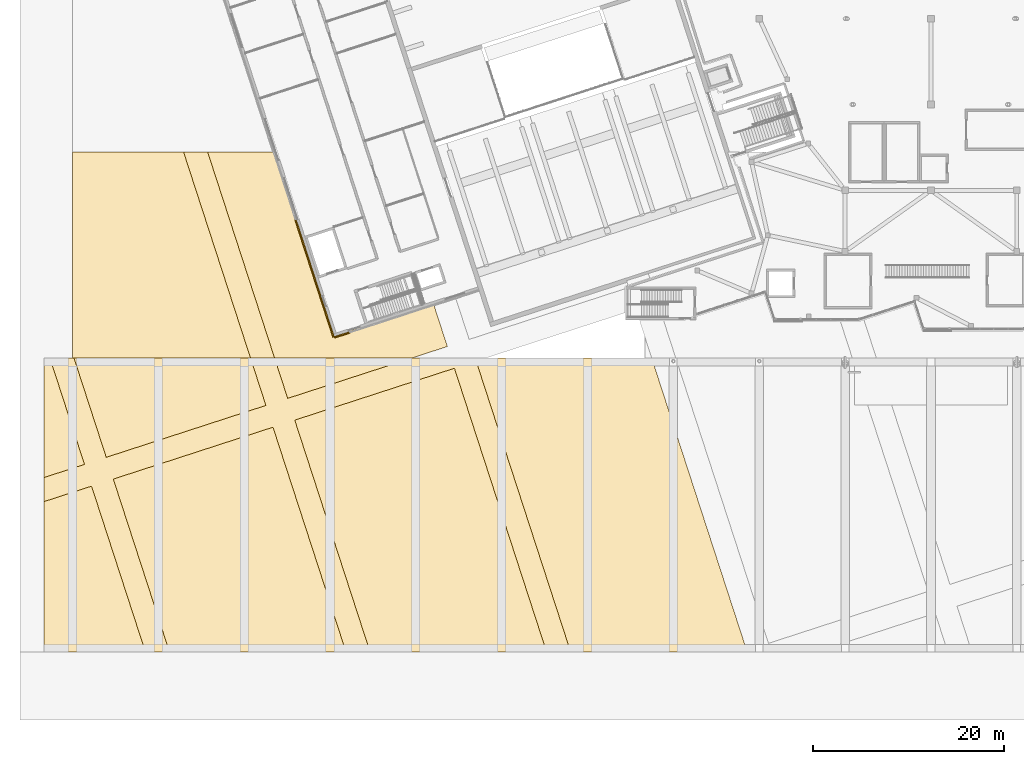
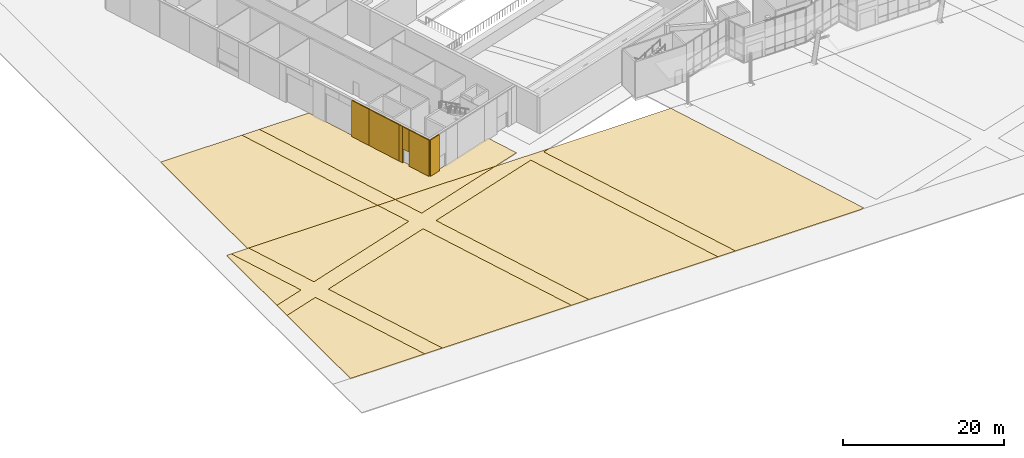
# One storey, part 61 of 72: 17 coverings.
"""IFC4 building model written with IfcOpenShell, lengths in metres."""

from ifc_helpers import new_model, si_unit, direction, frame, origin, place, context, subcontext, project, spatial, polyline, outline, extrude, material, layer, layer_set, type_object, element, save


model = new_model("IFC4")

# Units and contexts
model_context = context("Model", 3, precision=1e-05, world=origin(), true_north=direction((0.0, 1.0)))
body_context = subcontext(model_context, "Body", "Model", "MODEL_VIEW")
ifc_project = project(units=[si_unit("LENGTHUNIT", "METRE"), si_unit("AREAUNIT", "SQUARE_METRE"), si_unit("VOLUMEUNIT", "CUBIC_METRE"), si_unit("PLANEANGLEUNIT", "RADIAN"), si_unit("MASSUNIT", "GRAM", prefix="KILO")], contexts=[model_context])

# Site, building, storey
site_placement = place(None, origin())
site = spatial("IfcSite", under=ifc_project, at=site_placement, CompositionType="ELEMENT")
building_placement = place(site_placement, origin())
building = spatial("IfcBuilding", under=site, at=building_placement, Name="Tuart Plaza Theatre", CompositionType="ELEMENT")
storey_placement = place(building_placement, origin())
storey = spatial("IfcBuildingStorey", under=building, at=storey_placement, Name="L00", CompositionType="ELEMENT", Elevation=0.0)

# Coverings
ifc_material_1 = material(Name="Concrete paving, power-floated cast in place", Category="concrete")
ifc_layer_1 = layer(ifc_material_1, 0.14990234375)
ifc_layer_set_1 = layer_set([ifc_layer_1], Name="COVERING-CAST-CONCRETE-PAVING150")
covering_type_1 = type_object("IfcCoveringType", Name="COVERING-CAST-CONCRETE-PAVING150", PredefinedType="FLOORING", material=ifc_layer_set_1)
covering_1_placement = place(storey_placement, frame((0.0, 0.0, -0.14990234375)))
element("IfcCovering", 1, at=covering_1_placement, inside=storey, type_object=covering_type_1, Name="D-COV-DECK-CB-1-2", PredefinedType="FLOORING", context=body_context, shape_type="SweptSolid", body=[
    extrude(outline(polyline([(13.651123046875, 7.60009765625), (16.1748046875, 7.60009765625), (10.28369140625, 25.730712890625), (27.022216796875, 31.16943359375), (34.680419921875, 7.60009765625), (37.203857421875, 7.60009765625), (29.3046875, 31.910888671875), (46.04345703125, 37.349609375), (55.709716796875, 7.60009765625), (58.233154296875, 7.60009765625), (48.325927734375, 38.09130859375), (49.27587890625, 38.39990234375), (41.50927734375, 38.39990234375), (28.56298828125, 34.193603515625), (27.1962890625, 38.39990234375), (24.6728515625, 38.39990234375), (26.280517578125, 33.451904296875), (9.5419921875, 28.01318359375), (6.1669921875, 38.39990234375), (3.6435546875, 38.39990234375), (7.259521484375, 27.271484375), (3.0, 25.8876953125), (3.0, 23.364013671875), (8.001220703125, 24.989013671875), (13.651123046875, 7.60009765625)])), origin(), (0.0, 0.0, 1.0), 0.14990234375),
])
covering_2_placement = place(storey_placement, frame((0.0, 0.0, -0.14990234375)))
element("IfcCovering", 2, at=covering_2_placement, inside=storey, type_object=covering_type_1, Name="D-COV-FORECOURT-CB-1-7", PredefinedType="FLOORING", context=body_context, shape_type="SweptSolid", body=[
    extrude(outline(polyline([(24.6728515625, 38.39990234375), (27.1962890625, 38.39990234375), (20.177978515625, 60.0), (17.654541015625, 60.0), (24.6728515625, 38.39990234375)])), origin(), (0.0, 0.0, 1.0), 0.14990234375),
])
ifc_material_2 = material(Name="Granite paving, honed", Category="masonry")
ifc_layer_2 = layer(ifc_material_2, 0.14990234375)
ifc_layer_set_2 = layer_set([ifc_layer_2], Name="COVERING-GRANITE-PAVING150")
covering_type_2 = type_object("IfcCoveringType", Name="COVERING-GRANITE-PAVING150", PredefinedType="FLOORING", material=ifc_layer_set_2)
covering_3_placement = place(storey_placement, frame((0.0, 0.0, -0.14990234375)))
element("IfcCovering", 3, at=covering_3_placement, inside=storey, type_object=covering_type_2, Name="D-COV-DECK-GR-1-4", PredefinedType="FLOORING", context=body_context, shape_type="SweptSolid", body=[
    extrude(outline(polyline([(13.651123046875, 7.60009765625), (8.001220703125, 24.989013671875), (3.0, 23.364013671875), (3.0, 7.60009765625), (13.651123046875, 7.60009765625)])), origin(), (0.0, 0.0, 1.0), 0.14990234375),
])
covering_4_placement = place(storey_placement, frame((0.0, 0.0, -0.14990234375)))
element("IfcCovering", 4, at=covering_4_placement, inside=storey, type_object=covering_type_2, Name="D-COV-DECK-GR-1-5", PredefinedType="FLOORING", context=body_context, shape_type="SweptSolid", body=[
    extrude(outline(polyline([(34.680419921875, 7.60009765625), (27.022216796875, 31.16943359375), (10.28369140625, 25.730712890625), (16.1748046875, 7.60009765625), (34.680419921875, 7.60009765625)])), origin(), (0.0, 0.0, 1.0), 0.14990234375),
])
covering_5_placement = place(storey_placement, frame((0.0, 0.0, -0.14990234375)))
element("IfcCovering", 5, at=covering_5_placement, inside=storey, type_object=covering_type_2, Name="D-COV-DECK-GR-1-7", PredefinedType="FLOORING", context=body_context, shape_type="SweptSolid", body=[
    extrude(outline(polyline([(55.709716796875, 7.60009765625), (46.04345703125, 37.349609375), (29.3046875, 31.910888671875), (37.203857421875, 7.60009765625), (55.709716796875, 7.60009765625)])), origin(), (0.0, 0.0, 1.0), 0.14990234375),
])
covering_6_placement = place(storey_placement, frame((0.0, 0.0, -0.14990234375)))
element("IfcCovering", 6, at=covering_6_placement, inside=storey, type_object=covering_type_2, Name="D-COV-DECK-GR-1-8", PredefinedType="FLOORING", context=body_context, shape_type="SweptSolid", body=[
    extrude(outline(polyline([(76.1591796875, 7.60009765625), (76.68359375, 7.770263671875), (66.7314453125, 38.39990234375), (49.27587890625, 38.39990234375), (48.325927734375, 38.09130859375), (58.233154296875, 7.60009765625), (76.1591796875, 7.60009765625)])), origin(), (0.0, 0.0, 1.0), 0.14990234375),
])
covering_7_placement = place(storey_placement, frame((0.0, 0.0, -0.14990234375)))
element("IfcCovering", 7, at=covering_7_placement, inside=storey, type_object=covering_type_2, Name="D-COV-DECK-GR-1-12", PredefinedType="FLOORING", context=body_context, shape_type="SweptSolid", body=[
    extrude(outline(polyline([(3.0, 25.8876953125), (7.259521484375, 27.271484375), (3.6435546875, 38.39990234375), (3.0, 38.39990234375), (3.0, 25.8876953125)])), origin(), (0.0, 0.0, 1.0), 0.14990234375),
])
covering_8_placement = place(storey_placement, frame((0.0, 0.0, -0.14990234375)))
element("IfcCovering", 8, at=covering_8_placement, inside=storey, type_object=covering_type_2, Name="D-COV-DECK-GR-1-14", PredefinedType="FLOORING", context=body_context, shape_type="SweptSolid", body=[
    extrude(outline(polyline([(6.1669921875, 38.39990234375), (9.5419921875, 28.01318359375), (26.280517578125, 33.451904296875), (24.6728515625, 38.39990234375), (6.1669921875, 38.39990234375)])), origin(), (0.0, 0.0, 1.0), 0.14990234375),
])
covering_9_placement = place(storey_placement, frame((0.0, 0.0, -0.14990234375)))
element("IfcCovering", 9, at=covering_9_placement, inside=storey, type_object=covering_type_2, Name="D-COV-DECK-GR-1-15", PredefinedType="FLOORING", context=body_context, shape_type="SweptSolid", body=[
    extrude(outline(polyline([(27.1962890625, 38.39990234375), (28.56298828125, 34.193603515625), (41.50927734375, 38.39990234375), (27.1962890625, 38.39990234375)])), origin(), (0.0, 0.0, 1.0), 0.14990234375),
])
covering_10_placement = place(storey_placement, frame((0.0, 0.0, -0.14990234375)))
element("IfcCovering", 10, at=covering_10_placement, inside=storey, type_object=covering_type_2, Name="D-COV-FORECOURT-GR-1-6", PredefinedType="FLOORING", context=body_context, shape_type="SweptSolid", body=[
    extrude(outline(polyline([(41.50927734375, 38.39990234375), (45.3017578125, 39.63232421875), (43.833984375, 44.14990234375), (33.5625, 40.8125), (33.52001953125, 40.81787109375), (33.49951171875, 40.844482421875), (27.275390625, 60.0), (20.177978515625, 60.0), (27.1962890625, 38.39990234375), (41.50927734375, 38.39990234375)])), origin(), (0.0, 0.0, 1.0), 0.14990234375),
])
covering_11_placement = place(storey_placement, frame((0.0, 0.0, -0.14990234375)))
element("IfcCovering", 11, at=covering_11_placement, inside=storey, type_object=covering_type_2, Name="D-COV-FORECOURT-GR-1-7", PredefinedType="FLOORING", context=body_context, shape_type="SweptSolid", body=[
    extrude(outline(polyline([(24.6728515625, 38.39990234375), (17.654541015625, 60.0), (6.0, 60.0), (6.0, 38.39990234375), (24.6728515625, 38.39990234375)])), origin(), (0.0, 0.0, 1.0), 0.14990234375),
])
ifc_material_3 = material(Name="Zinc")
ifc_layer_3 = layer(ifc_material_3, 0.14990234375)
ifc_layer_set_3 = layer_set([ifc_layer_3], Name="COVERING-ZINC-RAINSCREEN150")
covering_type_3 = type_object("IfcCoveringType", Name="COVERING-ZINC-RAINSCREEN150", PredefinedType="CLADDING", material=ifc_layer_set_3)
covering_12_placement = place(storey_placement, origin())
element("IfcCovering", 12, at=covering_12_placement, inside=storey, type_object=covering_type_3, Name="CL98", PredefinedType="CLADDING", context=body_context, shape_type="SweptSolid", body=[
    extrude(outline(polyline([(33.45068359375, 40.6708984375), (35.02001953125, 41.180908203125), (35.06640625, 41.0380859375), (33.4970703125, 40.5283203125), (33.45068359375, 40.6708984375)])), origin(), (0.0, 0.0, 1.0), 5.5),
])
covering_13_placement = place(storey_placement, origin())
element("IfcCovering", 13, at=covering_13_placement, inside=storey, type_object=covering_type_3, Name="CL106", PredefinedType="CLADDING", context=body_context, shape_type="SweptSolid", body=[
    extrude(outline(polyline([(33.30810546875, 40.62451171875), (32.288330078125, 43.76318359375), (32.430908203125, 43.809326171875), (33.45068359375, 40.6708984375), (33.30810546875, 40.62451171875)])), origin(), (0.0, 0.0, 1.0), 5.5),
])
covering_14_placement = place(storey_placement, frame((0.0, 0.0, 2.10009765625)))
element("IfcCovering", 14, at=covering_14_placement, inside=storey, type_object=covering_type_3, Name="CL107", PredefinedType="CLADDING", context=body_context, shape_type="SweptSolid", body=[
    extrude(outline(polyline([(32.288330078125, 43.76318359375), (31.948486328125, 44.80908203125), (32.091064453125, 44.855712890625), (32.430908203125, 43.809326171875), (32.288330078125, 43.76318359375)])), origin(), (0.0, 0.0, 1.0), 3.39990234375),
])
covering_15_placement = place(storey_placement, origin())
element("IfcCovering", 15, at=covering_15_placement, inside=storey, type_object=covering_type_3, Name="CL108", PredefinedType="CLADDING", context=body_context, shape_type="SweptSolid", body=[
    extrude(outline(polyline([(31.948486328125, 44.80908203125), (31.76611328125, 45.370361328125), (31.90869140625, 45.416748046875), (32.091064453125, 44.855712890625), (31.948486328125, 44.80908203125)])), origin(), (0.0, 0.0, 1.0), 5.5),
])
covering_16_placement = place(storey_placement, origin())
element("IfcCovering", 16, at=covering_16_placement, inside=storey, type_object=covering_type_3, Name="CL109", PredefinedType="CLADDING", context=body_context, shape_type="SweptSolid", body=[
    extrude(outline(polyline([(31.760009765625, 45.389404296875), (30.220947265625, 50.12548828125), (30.363525390625, 50.172119140625), (31.902587890625, 45.435791015625), (31.760009765625, 45.389404296875)])), origin(), (0.0, 0.0, 1.0), 5.5),
])
covering_17_placement = place(storey_placement, origin())
element("IfcCovering", 17, at=covering_17_placement, inside=storey, type_object=covering_type_3, Name="CL110", PredefinedType="CLADDING", context=body_context, shape_type="SweptSolid", body=[
    extrude(outline(polyline([(30.21484375, 50.144775390625), (29.32177734375, 52.893310546875), (29.46435546875, 52.939697265625), (30.357421875, 50.19091796875), (30.21484375, 50.144775390625)])), origin(), (0.0, 0.0, 1.0), 5.5),
])

save(model, "model.ifc")
